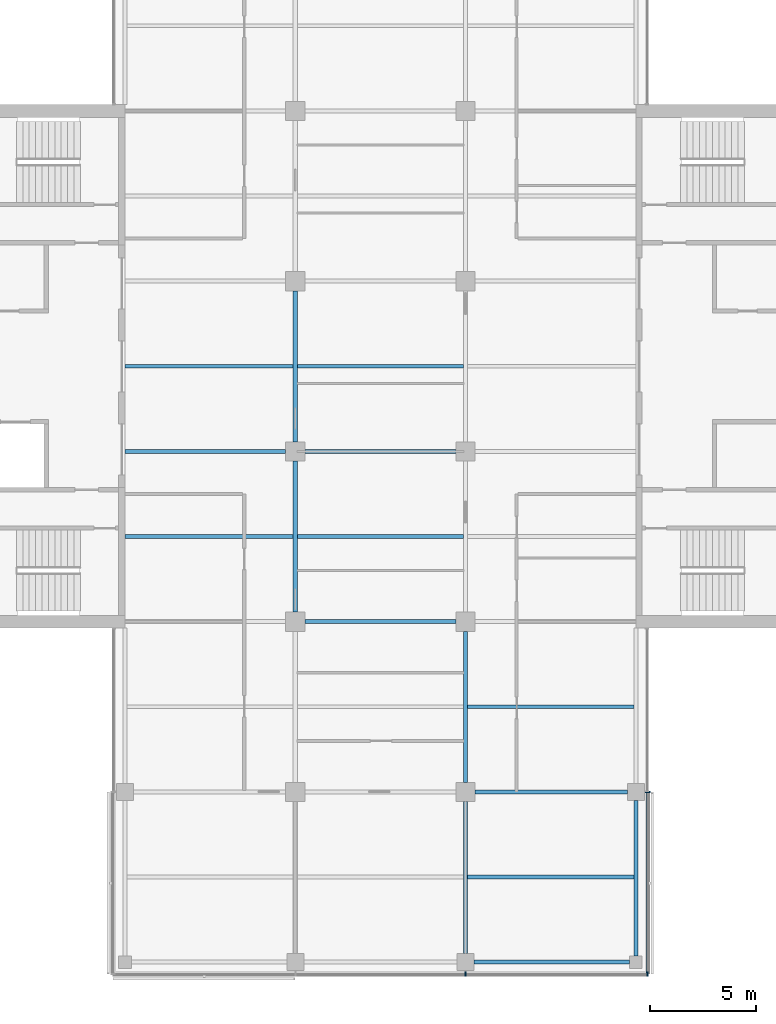
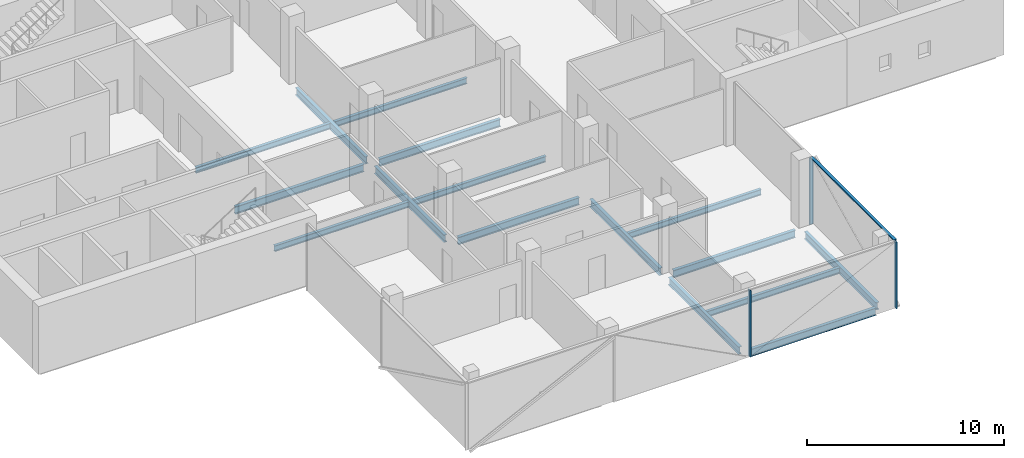
# One storey, part 3 of 15: 16 beams, 4 members, 2 elements without a shape of their own.
"""IFC4 building model written with IfcOpenShell, lengths in metres."""

from ifc_helpers import new_model, si_unit, direction, frame, origin, origin_2d, place, context, subcontext, project, spatial, rectangle, i_section, extrude, material, material_profile, profile_set, type_object, element, aggregate, save


model = new_model("IFC4")

# Units and contexts
model_context = context("Model", 3, precision=1e-05, world=origin(), true_north=direction((0.0, 1.0)))
body_context = subcontext(model_context, "Body", "Model", "MODEL_VIEW")
ifc_project = project(units=[si_unit("LENGTHUNIT", "METRE"), si_unit("AREAUNIT", "SQUARE_METRE"), si_unit("VOLUMEUNIT", "CUBIC_METRE"), si_unit("PLANEANGLEUNIT", "RADIAN"), si_unit("MASSUNIT", "GRAM", prefix="KILO")], contexts=[model_context])

# Site, building, storey
site_placement = place(None, origin())
site = spatial("IfcSite", under=ifc_project, at=site_placement, CompositionType="ELEMENT")
building_placement = place(site_placement, origin())
building = spatial("IfcBuilding", under=site, at=building_placement, Name="Crosswind Convention Tower", CompositionType="ELEMENT")
storey_placement = place(building_placement, frame((0.0, 0.0, 204.10009765625)))
storey = spatial("IfcBuildingStorey", under=building, at=storey_placement, Name="L43", CompositionType="ELEMENT", Elevation=204.10009765625)

# Beams
ifc_material_1 = material(Name="Steel S355", Category="steel")
ifc_material_profile_1 = material_profile(ifc_material_1, i_section(OverallWidth=0.18994140625, OverallDepth=0.45361328125, WebThickness=0.008544921875, FlangeThickness=0.0126953125, FilletRadius=0.01025390625, at=origin_2d()), Name="UB 457x191x67")
ifc_profile_set_1 = profile_set([ifc_material_profile_1], Name="Steel S355")
beam_type_1 = type_object("IfcBeamType", Name="Edge beam UB 457x191x67", PredefinedType="SPANDREL", material=ifc_profile_set_1)
for number, where, z_axis, x_axis, name in (
    (1, (129.39990234375, 72.0, -0.52685546875), (1.0, 0.0, 0.0), (0.0, 1.0, 0.0), "B16 L43 edge beam 9"),
    (2, (137.0, 72.300048828125, -0.52685546875), (0.0, 1.0, 0.0), (-1.0, 0.0, 0.0), "B16 L43 edge beam 11"),
):
    element("IfcBeam", number, at=place(storey_placement, frame(where, z_axis=z_axis, x_axis=x_axis)), inside=storey, type_object=beam_type_1, Name=name, PredefinedType="SPANDREL", context=body_context, shape_type="SweptSolid", body=[
        extrude(i_section(OverallWidth=0.18994140625, OverallDepth=0.45361328125, WebThickness=0.008544921875, FlangeThickness=0.0126953125, FilletRadius=0.01025390625, at=origin_2d()), origin(), (0.0, 0.0, 1.0), 7.300048828125),
    ])
ifc_material_profile_2 = material_profile(ifc_material_1, i_section(OverallWidth=0.1904296875, OverallDepth=0.457275390625, WebThickness=0.009033203125, FlangeThickness=0.014404296875, FilletRadius=0.01025390625, at=origin_2d()), Name="UB 457x191x75")
ifc_profile_set_2 = profile_set([ifc_material_profile_2], Name="Steel S355")
beam_type_2 = type_object("IfcBeamType", Name="Girder UB 457x191x75", PredefinedType="BEAM", material=ifc_profile_set_2)
for number, where, z_axis, x_axis, name in (
    (3, (121.0, 88.449951171875, -0.52880859375), (0.0, 1.0, 0.0), (-1.0, 0.0, 0.0), "B2 L43 girder 5"),
    (4, (121.0, 96.449951171875, -0.52880859375), (0.0, 1.0, 0.0), (-1.0, 0.0, 0.0), "B2 L43 girder 6"),
    (5, (121.449951171875, 88.0, -0.52880859375), (1.0, 0.0, 0.0), (0.0, 1.0, 0.0), "B2 L43 girder 11"),
    (6, (121.449951171875, 96.0, -0.52880859375), (1.0, 0.0, 0.0), (0.0, 1.0, 0.0), "B2 L43 girder 12"),
):
    element("IfcBeam", number, at=place(storey_placement, frame(where, z_axis=z_axis, x_axis=x_axis)), inside=storey, type_object=beam_type_2, Name=name, PredefinedType="BEAM", context=body_context, shape_type="SweptSolid", body=[
        extrude(i_section(OverallWidth=0.1904296875, OverallDepth=0.457275390625, WebThickness=0.009033203125, FlangeThickness=0.014404296875, FilletRadius=0.01025390625, at=origin_2d()), origin(), (0.0, 0.0, 1.0), 7.10009765625),
    ])
beam_1_placement = place(storey_placement, frame((129.0, 72.39990234375, -0.52880859375), z_axis=(0.0, 1.0, 0.0), x_axis=(-1.0, 0.0, 0.0)))
element("IfcBeam", 7, at=beam_1_placement, inside=storey, type_object=beam_type_2, Name="B2 L43 girder 16", PredefinedType="BEAM", context=body_context, shape_type="SweptSolid", body=[
    extrude(i_section(OverallWidth=0.1904296875, OverallDepth=0.457275390625, WebThickness=0.009033203125, FlangeThickness=0.014404296875, FilletRadius=0.01025390625, at=origin_2d()), origin(), (0.0, 0.0, 1.0), 7.150146484375),
])
beam_2_placement = place(storey_placement, frame((129.0, 80.449951171875, -0.52880859375), z_axis=(0.0, 1.0, 0.0), x_axis=(-1.0, 0.0, 0.0)))
element("IfcBeam", 8, at=beam_2_placement, inside=storey, type_object=beam_type_2, Name="B2 L43 girder 17", PredefinedType="BEAM", context=body_context, shape_type="SweptSolid", body=[
    extrude(i_section(OverallWidth=0.1904296875, OverallDepth=0.457275390625, WebThickness=0.009033203125, FlangeThickness=0.014404296875, FilletRadius=0.01025390625, at=origin_2d()), origin(), (0.0, 0.0, 1.0), 7.10009765625),
])
beam_3_placement = place(storey_placement, frame((129.449951171875, 80.0, -0.52880859375), z_axis=(1.0, 0.0, 0.0), x_axis=(0.0, 1.0, 0.0)))
element("IfcBeam", 9, at=beam_3_placement, inside=storey, type_object=beam_type_2, Name="B2 L43 girder 23", PredefinedType="BEAM", context=body_context, shape_type="SweptSolid", body=[
    extrude(i_section(OverallWidth=0.1904296875, OverallDepth=0.457275390625, WebThickness=0.009033203125, FlangeThickness=0.014404296875, FilletRadius=0.01025390625, at=origin_2d()), origin(), (0.0, 0.0, 1.0), 7.150146484375),
])
ifc_material_profile_3 = material_profile(ifc_material_1, i_section(OverallWidth=0.19140625, OverallDepth=0.460205078125, WebThickness=0.010009765625, FlangeThickness=0.01611328125, FilletRadius=0.01025390625, at=origin_2d()), Name="UB 457x191x82")
ifc_profile_set_3 = profile_set([ifc_material_profile_3], Name="Steel S355")
beam_type_3 = type_object("IfcBeamType", Name="Girder at core wall UB 457x191x82", PredefinedType="BEAM", material=ifc_profile_set_3)
beam_4_placement = place(storey_placement, frame((113.0, 96.0, -0.5302734375), z_axis=(1.0, 0.0, 0.0), x_axis=(0.0, 1.0, 0.0)))
element("IfcBeam", 10, at=beam_4_placement, inside=storey, type_object=beam_type_3, Name="B23 L43 girder at core wall 2", PredefinedType="BEAM", context=body_context, shape_type="SweptSolid", body=[
    extrude(i_section(OverallWidth=0.19140625, OverallDepth=0.460205078125, WebThickness=0.010009765625, FlangeThickness=0.01611328125, FilletRadius=0.01025390625, at=origin_2d()), origin(), (0.0, 0.0, 1.0), 7.550048828125),
])

# Curtain wall, members
ifc_material_2 = material(Name="Aluminium unitised curtain wall", Category="aluminium")
curtain_wall_type = type_object("IfcCurtainWallType", Name="OFFICE UNITISED WALL 220", PredefinedType="USERDEFINED", material=ifc_material_2)
curtain_wall_1_placement = place(storey_placement, origin())
curtain_wall_1 = element("IfcCurtainWall", 11, at=curtain_wall_1_placement, inside=storey, type_object=curtain_wall_type, Name="CW3 L43 S-TIP 1", ObjectType="UNITISED", PredefinedType="USERDEFINED")
ifc_material_3 = material(Name="Aluminium mullion", Category="aluminium")
ifc_material_profile_4 = material_profile(ifc_material_3, rectangle(XDim=0.219970703125, YDim=0.070068359375, at=origin_2d()), Name="AL 220X70")
ifc_profile_set_4 = profile_set([ifc_material_profile_4], Name="Aluminium mullion")
member_type_1 = type_object("IfcMemberType", Name="MULLION 70X220", PredefinedType="MULLION", material=ifc_profile_set_4)
member_1_placement = place(storey_placement, frame((129.0, 71.43994140625, -0.300048828125), z_axis=(0.0, 0.0, 1.0), x_axis=(0.0, -1.0, 0.0)))
member_1 = element("IfcMember", 12, at=member_1_placement, type_object=member_type_1, Name="CW3 mullion 3", PredefinedType="MULLION", context=body_context, shape_type="SweptSolid", body=[
    extrude(rectangle(XDim=0.219970703125, YDim=0.070068359375, at=origin_2d()), origin(), (0.0, 0.0, 1.0), 4.1298828125),
])
member_2_placement = place(storey_placement, frame((137.56005859375, 71.43994140625, -0.300048828125), z_axis=(0.0, 0.0, 1.0), x_axis=(0.0, -1.0, 0.0)))
member_2 = element("IfcMember", 13, at=member_2_placement, type_object=member_type_1, Name="CW3 mullion 4", PredefinedType="MULLION", context=body_context, shape_type="SweptSolid", body=[
    extrude(rectangle(XDim=0.219970703125, YDim=0.070068359375, at=origin_2d()), origin(), (0.0, 0.0, 1.0), 4.1298828125),
])
aggregate(curtain_wall_1, [member_1, member_2])

# Curtain wall, member
curtain_wall_2_placement = place(storey_placement, origin())
curtain_wall_2 = element("IfcCurtainWall", 14, at=curtain_wall_2_placement, inside=storey, type_object=curtain_wall_type, Name="CW3 L43 S-E 1", ObjectType="UNITISED", PredefinedType="USERDEFINED")
member_3_placement = place(storey_placement, frame((137.56005859375, 80.0, -0.300048828125), z_axis=(0.0, 0.0, 1.0), x_axis=(1.0, 0.0, 0.0)))
member_3 = element("IfcMember", 15, at=member_3_placement, type_object=member_type_1, Name="CW3 mullion 2", PredefinedType="MULLION", context=body_context, shape_type="SweptSolid", body=[
    extrude(rectangle(XDim=0.219970703125, YDim=0.070068359375, at=origin_2d()), origin(), (0.0, 0.0, 1.0), 4.1298828125),
])

# Beams
ifc_material_profile_5 = material_profile(ifc_material_1, i_section(OverallWidth=0.172119140625, OverallDepth=0.358642578125, WebThickness=0.008056640625, FlangeThickness=0.012939453125, FilletRadius=0.01025390625, at=origin_2d()), Name="UB 356x171x57")
ifc_profile_set_5 = profile_set([ifc_material_profile_5], Name="Steel S355")
beam_type_4 = type_object("IfcBeamType", Name="Secondary beam UB 356x171x57", PredefinedType="JOIST", material=ifc_profile_set_5)
for number, where, z_axis, x_axis, name in (
    (16, (113.0, 92.0, -0.4794921875), (1.0, 0.0, 0.0), (0.0, 1.0, 0.0), "B9 L43 secondary beam 1"),
    (17, (113.0, 100.0, -0.4794921875), (1.0, 0.0, 0.0), (0.0, 1.0, 0.0), "B9 L43 secondary beam 2"),
):
    element("IfcBeam", number, at=place(storey_placement, frame(where, z_axis=z_axis, x_axis=x_axis)), inside=storey, type_object=beam_type_4, Name=name, PredefinedType="JOIST", context=body_context, shape_type="SweptSolid", body=[
        extrude(i_section(OverallWidth=0.172119140625, OverallDepth=0.358642578125, WebThickness=0.008056640625, FlangeThickness=0.012939453125, FilletRadius=0.01025390625, at=origin_2d()), origin(), (0.0, 0.0, 1.0), 7.90478515625),
    ])
for number, where, z_axis, x_axis, name in (
    (18, (121.09521484375, 92.0, -0.4794921875), (1.0, 0.0, 0.0), (0.0, 1.0, 0.0), "B9 L43 secondary beam 10"),
    (19, (121.09521484375, 100.0, -0.4794921875), (1.0, 0.0, 0.0), (0.0, 1.0, 0.0), "B9 L43 secondary beam 11"),
):
    element("IfcBeam", number, at=place(storey_placement, frame(where, z_axis=z_axis, x_axis=x_axis)), inside=storey, type_object=beam_type_4, Name=name, PredefinedType="JOIST", context=body_context, shape_type="SweptSolid", body=[
        extrude(i_section(OverallWidth=0.172119140625, OverallDepth=0.358642578125, WebThickness=0.008056640625, FlangeThickness=0.012939453125, FilletRadius=0.01025390625, at=origin_2d()), origin(), (0.0, 0.0, 1.0), 7.8095703125),
    ])
for number, where, z_axis, x_axis, name in (
    (20, (129.09521484375, 76.0, -0.4794921875), (1.0, 0.0, 0.0), (0.0, 1.0, 0.0), "B9 L43 secondary beam 15"),
    (21, (129.09521484375, 84.0, -0.4794921875), (1.0, 0.0, 0.0), (0.0, 1.0, 0.0), "B9 L43 secondary beam 16"),
):
    element("IfcBeam", number, at=place(storey_placement, frame(where, z_axis=z_axis, x_axis=x_axis)), inside=storey, type_object=beam_type_4, Name=name, PredefinedType="JOIST", context=body_context, shape_type="SweptSolid", body=[
        extrude(i_section(OverallWidth=0.172119140625, OverallDepth=0.358642578125, WebThickness=0.008056640625, FlangeThickness=0.012939453125, FilletRadius=0.01025390625, at=origin_2d()), origin(), (0.0, 0.0, 1.0), 7.809814453125),
    ])

# Member
ifc_material_4 = material(Name="Aluminium transom", Category="aluminium")
ifc_material_profile_6 = material_profile(ifc_material_4, rectangle(XDim=0.159912109375, YDim=0.070068359375, at=origin_2d()), Name="AL 160X70")
ifc_profile_set_6 = profile_set([ifc_material_profile_6], Name="Aluminium transom")
member_type_2 = type_object("IfcMemberType", Name="TRANSOM 70X160", PredefinedType="USERDEFINED", material=ifc_profile_set_6)
member_4_placement = place(storey_placement, frame((137.56005859375, 71.47509765625, 3.864990234375), z_axis=(0.0, 1.0, 0.0), x_axis=(-1.0, 0.0, 0.0)))
member_4 = element("IfcMember", 22, at=member_4_placement, type_object=member_type_2, Name="CW3 transom", ObjectType="TRANSOM", PredefinedType="USERDEFINED", context=body_context, shape_type="SweptSolid", body=[
    extrude(rectangle(XDim=0.159912109375, YDim=0.070068359375, at=origin_2d()), origin(), (0.0, 0.0, 1.0), 8.489990234375),
])

aggregate(curtain_wall_2, [member_3, member_4])

save(model, "model.ifc")
